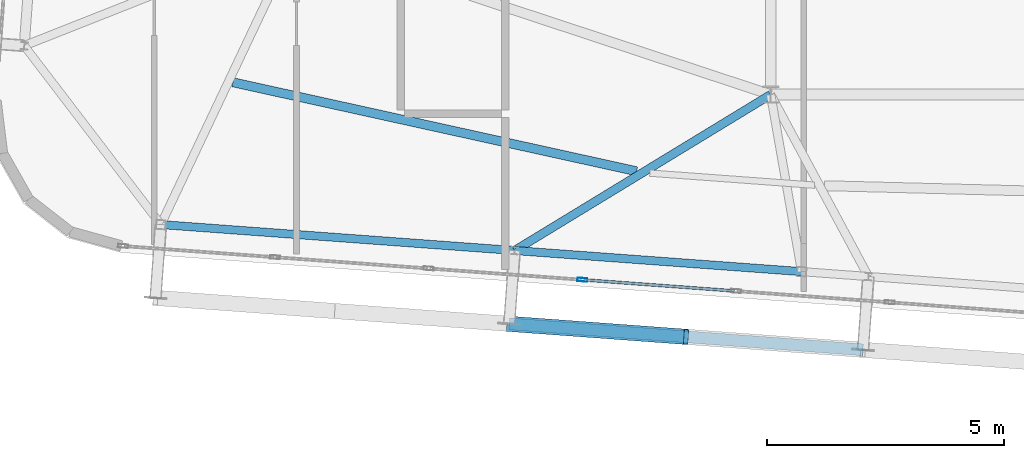
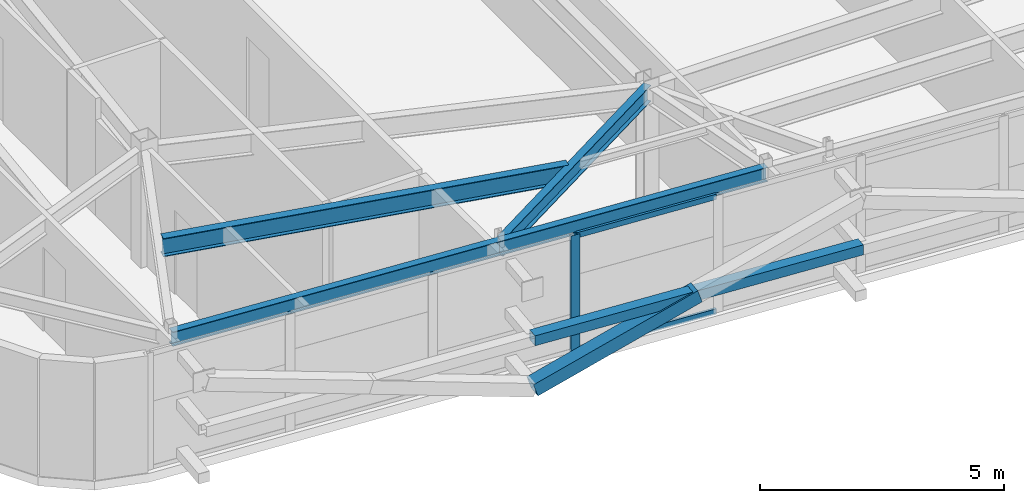
# One storey, part 10 of 42: 5 members, 4 beams, 1 element without a shape of its own.
"""IFC4 building model written with IfcOpenShell, lengths in metres."""

from ifc_helpers import new_model, si_unit, direction, frame, origin, origin_2d, place, context, subcontext, project, spatial, hollow_rectangle, i_section, extrude, source, transform, mapped, material, layer, layer_set, material_profile, profile_set, type_object, element, aggregate, save


model = new_model("IFC4")

# Units and contexts
model_context = context("Model", 3, precision=1e-05, world=origin(), true_north=direction((0.0, 1.0)))
body_context = subcontext(model_context, "Body", "Model", "MODEL_VIEW")
ifc_project = project(units=[si_unit("LENGTHUNIT", "METRE"), si_unit("AREAUNIT", "SQUARE_METRE"), si_unit("VOLUMEUNIT", "CUBIC_METRE"), si_unit("PLANEANGLEUNIT", "RADIAN"), si_unit("MASSUNIT", "GRAM", prefix="KILO")], contexts=[model_context])

# Site, building, storey
site_placement = place(None, origin())
site = spatial("IfcSite", under=ifc_project, at=site_placement, CompositionType="ELEMENT")
building_placement = place(site_placement, origin())
building = spatial("IfcBuilding", under=site, at=building_placement, Name="Taldren Reach Tower", CompositionType="ELEMENT")
storey_placement = place(building_placement, frame((0.0, 0.0, 220.85009765625)))
storey = spatial("IfcBuildingStorey", under=building, at=storey_placement, Name="L67", CompositionType="ELEMENT", Elevation=220.85009765625)

# Beams
ifc_material_1 = material(Name="Steel Gr 350 (350PLUS)", Category="steel")
ifc_material_profile_1 = material_profile(ifc_material_1, i_section(OverallWidth=0.172119140625, OverallDepth=0.35888671875, WebThickness=0.008056640625, FlangeThickness=0.012939453125, at=origin_2d()), Name="360UB56.7")
ifc_profile_set_1 = profile_set([ifc_material_profile_1], Name="Steel Gr 350 (350PLUS)")
beam_type_1 = type_object("IfcBeamType", Name="SP-UB360", PredefinedType="SPANDREL", material=ifc_profile_set_1)
shared_shape_1 = source(origin(), body_context, "Body", "SweptSolid", [
    extrude(i_section(OverallWidth=0.172119140625, OverallDepth=0.35888671875, WebThickness=0.008056640625, FlangeThickness=0.012939453125, at=origin_2d()), origin(), (0.0, 0.0, 1.0), 7.47998046875),
])
beam_1_placement = place(storey_placement, frame((15.140625, 6.460205078125, 2.75048828125), z_axis=(0.997314220642, -0.07324169103, 0.0), x_axis=(0.07324169103, 0.997314220642, 0.0)))
element("IfcBeam", 1, at=beam_1_placement, inside=storey, type_object=beam_type_1, Name="Perimeter spandrel B5 S1-S2 L67", PredefinedType="SPANDREL", context=body_context, shape_type="MappedRepresentation", body=[
    mapped(shared_shape_1, transform((0.0, 0.0, 0.0), scale=1.0)),
])
shared_shape_2 = source(origin(), body_context, "Body", "SweptSolid", [
    extrude(i_section(OverallWidth=0.172119140625, OverallDepth=0.35888671875, WebThickness=0.008056640625, FlangeThickness=0.012939453125, at=origin_2d()), origin(), (0.0, 0.0, 1.0), 6.070068359375),
])
beam_2_placement = place(storey_placement, frame((22.6005859375, 5.912353515625, 2.75048828125), z_axis=(0.997314196413, -0.073242020958, 0.0), x_axis=(0.073242020958, 0.997314196413, 0.0)))
element("IfcBeam", 2, at=beam_2_placement, inside=storey, type_object=beam_type_1, Name="Perimeter spandrel B5 S2-PJ1 L67", PredefinedType="SPANDREL", context=body_context, shape_type="MappedRepresentation", body=[
    mapped(shared_shape_2, transform((0.0, 0.0, 0.0), scale=1.0)),
])
ifc_material_profile_2 = material_profile(ifc_material_1, i_section(OverallWidth=0.177978515625, OverallDepth=0.406005859375, WebThickness=0.0078125, FlangeThickness=0.0126953125, at=origin_2d()), Name="410UB59.7")
ifc_profile_set_2 = profile_set([ifc_material_profile_2], Name="Steel Gr 350 (350PLUS)")
beam_type_2 = type_object("IfcBeamType", Name="BM-UB410", PredefinedType="BEAM", material=ifc_profile_set_2)
shared_shape_3 = source(origin(), body_context, "Body", "SweptSolid", [
    extrude(i_section(OverallWidth=0.177978515625, OverallDepth=0.406005859375, WebThickness=0.0078125, FlangeThickness=0.0126953125, at=origin_2d()), origin(), (0.0, 0.0, 1.0), 6.321533203125),
])
beam_3_placement = place(storey_placement, frame((28.0, 9.199951171875, 2.726806640625), z_axis=(-0.854128445192, -0.520062110823, 0.0), x_axis=(0.520062110823, -0.854128445192, 0.0)))
element("IfcBeam", 3, at=beam_3_placement, inside=storey, type_object=beam_type_2, Name="Primary floor girder B5-S2 L67", PredefinedType="BEAM", context=body_context, shape_type="MappedRepresentation", body=[
    mapped(shared_shape_3, transform((0.0, 0.0, 0.0), scale=1.0)),
])
ifc_material_profile_3 = material_profile(ifc_material_1, i_section(OverallWidth=0.19091796875, OverallDepth=0.4599609375, WebThickness=0.010009765625, FlangeThickness=0.01611328125, at=origin_2d()), Name="460UB82.1")
ifc_profile_set_3 = profile_set([ifc_material_profile_3], Name="Steel Gr 350 (350PLUS)")
beam_type_3 = type_object("IfcBeamType", Name="BM-UB460A", PredefinedType="BEAM", material=ifc_profile_set_3)
shared_shape_4 = source(origin(), body_context, "Body", "SweptSolid", [
    extrude(i_section(OverallWidth=0.19091796875, OverallDepth=0.4599609375, WebThickness=0.010009765625, FlangeThickness=0.01611328125, at=origin_2d()), origin(), (0.0, 0.0, 1.0), 8.719482421875),
])
beam_4_placement = place(storey_placement, frame((16.659423828125, 9.46044921875, 2.699951171875), z_axis=(0.976568964704, -0.2152046867, 0.0), x_axis=(0.2152046867, 0.976568964704, 0.0)))
element("IfcBeam", 4, at=beam_4_placement, inside=storey, type_object=beam_type_3, Name="Secondary floor beam B5 J1 L67", PredefinedType="BEAM", context=body_context, shape_type="MappedRepresentation", body=[
    mapped(shared_shape_4, transform((0.0, 0.0, 0.0), scale=1.0)),
])

# Members
ifc_material_2 = material(Name="Steel Gr 450 (C450L0)", Category="steel")
ifc_material_profile_4 = material_profile(ifc_material_2, hollow_rectangle(XDim=0.324951171875, YDim=0.324951171875, WallThickness=0.0126953125, at=origin_2d()), Name="325x325x12.7SHS")
ifc_profile_set_4 = profile_set([ifc_material_profile_4], Name="Steel Gr 450 (C450L0)")
member_type_1 = type_object("IfcMemberType", Name="MB-BR324", PredefinedType="BRACE", material=ifc_profile_set_4)
shared_shape_5 = source(origin(), body_context, "Body", "SweptSolid", [
    extrude(hollow_rectangle(XDim=0.324951171875, YDim=0.324951171875, WallThickness=0.0126953125, at=origin_2d()), origin(), (0.0, 0.0, 1.0), 3.932373046875),
])
member_1_placement = place(storey_placement, frame((22.487060546875, 4.36669921875, 0.219970703125), z_axis=(0.948529326954, -0.06965898055, 0.308933232813), x_axis=(0.07324169103, 0.997314220642, 0.0)))
element("IfcMember", 5, at=member_1_placement, inside=storey, type_object=member_type_1, Name="Exoskeleton Diagrid Brace B5-S2 L67", PredefinedType="BRACE", context=body_context, shape_type="MappedRepresentation", body=[
    mapped(shared_shape_5, transform((0.0, 0.0, 0.0), scale=1.0)),
])
ifc_material_3 = material(Name="Steel Gr 350 (C350L0)", Category="steel")
ifc_material_profile_5 = material_profile(ifc_material_3, hollow_rectangle(XDim=0.25, YDim=0.25, WallThickness=0.010009765625, at=origin_2d()), Name="250x250x10.0SHS")
ifc_profile_set_5 = profile_set([ifc_material_profile_5], Name="Steel Gr 350 (C350L0)")
member_type_2 = type_object("IfcMemberType", Name="MB-POST250", PredefinedType="POST", material=ifc_profile_set_5)
shared_shape_6 = source(origin(), body_context, "Body", "SweptSolid", [
    extrude(hollow_rectangle(XDim=0.25, YDim=0.25, WallThickness=0.010009765625, at=origin_2d()), origin(), (0.0, 0.0, 1.0), 7.47998046875),
])
member_2_placement = place(storey_placement, frame((22.487060546875, 4.36669921875, 1.434814453125), z_axis=(0.997314220642, -0.07324169103, 0.0), x_axis=(0.07324169103, 0.997314220642, 0.0)))
element("IfcMember", 6, at=member_2_placement, inside=storey, type_object=member_type_2, Name="Exoskeleton mid-height ring chord B5-S2 L67", PredefinedType="POST", context=body_context, shape_type="MappedRepresentation", body=[
    mapped(shared_shape_6, transform((0.0, 0.0, 0.0), scale=1.0)),
])

# Curtain wall, members
ifc_material_4 = material(Name="Aluminium and Low-E Glass Unitised System", Category="aluminium")
ifc_layer = layer(ifc_material_4, 0.159912109375)
ifc_layer_set = layer_set([ifc_layer], Name="Aluminium and Low-E Glass Unitised System")
curtain_wall_type = type_object("IfcCurtainWallType", Name="CW-SYS-6", PredefinedType="NOTDEFINED", material=ifc_layer_set)
curtain_wall_placement = place(storey_placement, origin())
curtain_wall = element("IfcCurtainWall", 7, at=curtain_wall_placement, inside=storey, type_object=curtain_wall_type, Name="Unitised curtain wall CW-L67-S", PredefinedType="NOTDEFINED")
ifc_material_5 = material(Name="Anodised Aluminium 6063-T6", Category="aluminium")
ifc_material_profile_6 = material_profile(ifc_material_5, hollow_rectangle(XDim=0.074951171875, YDim=0.2099609375, WallThickness=0.00439453125, at=origin_2d()), Name="ALU-210x75x4.5RHS")
ifc_profile_set_6 = profile_set([ifc_material_profile_6], Name="Anodised Aluminium 6063-T6")
member_type_3 = type_object("IfcMemberType", Name="CW-MUL-200", PredefinedType="MULLION", material=ifc_profile_set_6)
shared_shape_7 = source(origin(), body_context, "Body", "SweptSolid", [
    extrude(hollow_rectangle(XDim=0.074951171875, YDim=0.2099609375, WallThickness=0.00439453125, at=origin_2d()), origin(), (0.0, 0.0, 1.0), 2.929931640625),
])
member_3_placement = place(storey_placement, frame((24.029296875, 5.296142578125, 0.0), z_axis=(0.0, 0.0, 1.0), x_axis=(0.073238213716, 0.997314476006, 0.0)))
member_3 = element("IfcMember", 8, at=member_3_placement, type_object=member_type_3, Name="CW-6 mullion 4", PredefinedType="MULLION", context=body_context, shape_type="MappedRepresentation", body=[
    mapped(shared_shape_7, transform((0.0, 0.0, 0.0), scale=1.0)),
])
ifc_material_profile_7 = material_profile(ifc_material_5, hollow_rectangle(XDim=0.06005859375, YDim=0.135009765625, WallThickness=0.00341796875, at=origin_2d()), Name="ALU-135x60x3.5RHS")
ifc_profile_set_7 = profile_set([ifc_material_profile_7], Name="Anodised Aluminium 6063-T6")
member_type_4 = type_object("IfcMemberType", Name="CW-TRN-150", PredefinedType="USERDEFINED", material=ifc_profile_set_7)
shared_shape_8 = source(origin(), body_context, "Body", "SweptSolid", [
    extrude(hollow_rectangle(XDim=0.06005859375, YDim=0.135009765625, WallThickness=0.00341796875, at=origin_2d()), origin(), (0.0, 0.0, 1.0), 3.175048828125),
])
member_4_placement = place(storey_placement, frame((24.066650390625, 5.29345703125, 0.02978515625), z_axis=(0.997311428111, -0.073279706322, 0.0), x_axis=(0.073279706322, 0.997311428111, 0.0)))
member_4 = element("IfcMember", 9, at=member_4_placement, type_object=member_type_4, Name="CW-6 transom 4.1", ObjectType="TRANSOM", PredefinedType="USERDEFINED", context=body_context, shape_type="MappedRepresentation", body=[
    mapped(shared_shape_8, transform((0.0, 0.0, 0.0), scale=1.0)),
])
member_5_placement = place(storey_placement, frame((24.066650390625, 5.29345703125, 2.89990234375), z_axis=(0.997311428111, -0.073279706322, 0.0), x_axis=(0.073279706322, 0.997311428111, 0.0)))
member_5 = element("IfcMember", 10, at=member_5_placement, type_object=member_type_4, Name="CW-6 transom 4.2", ObjectType="TRANSOM", PredefinedType="USERDEFINED", context=body_context, shape_type="MappedRepresentation", body=[
    mapped(shared_shape_8, transform((0.0, 0.0, 0.0), scale=1.0)),
])
aggregate(curtain_wall, [member_3, member_4, member_5])

save(model, "model.ifc")
